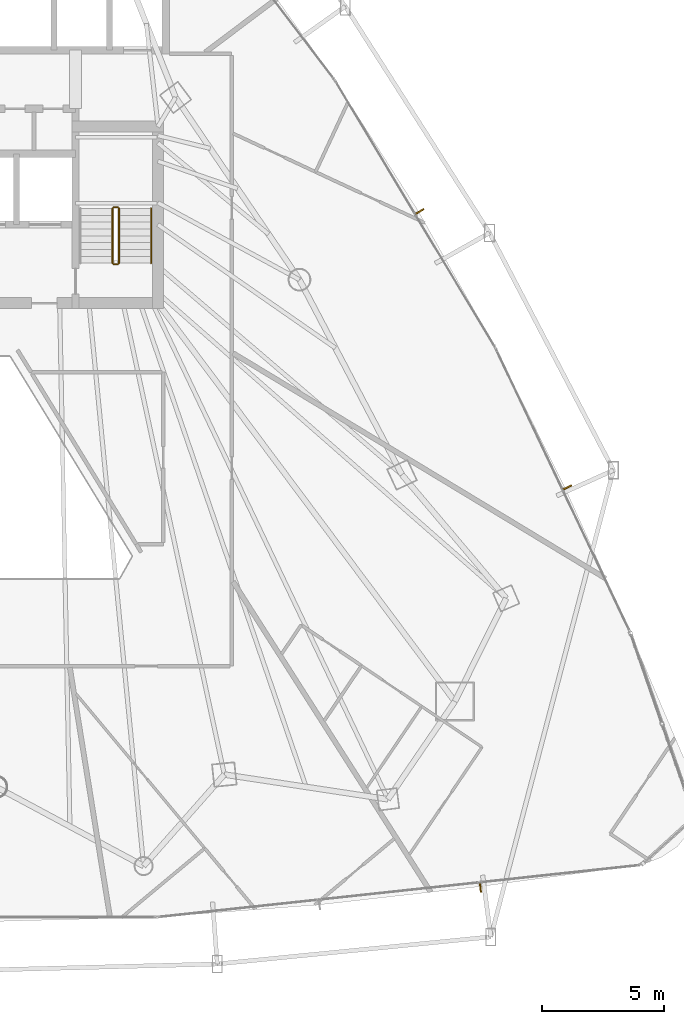
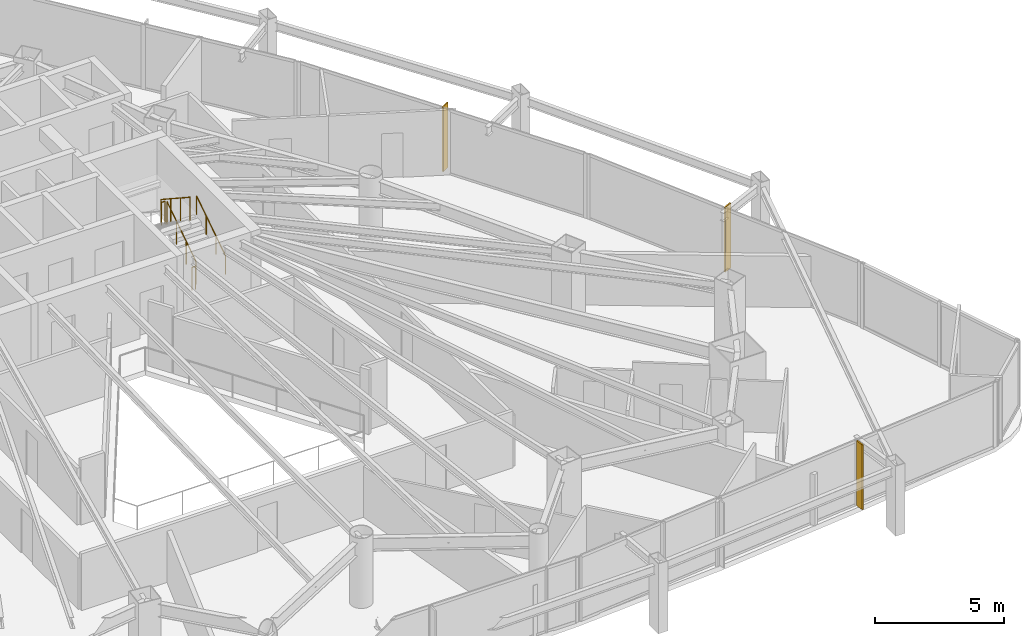
# One storey, part 37 of 38: 5 railings, 3 shading devices.
"""IFC4 building model written with IfcOpenShell, lengths in metres."""

from ifc_helpers import new_model, si_unit, direction, frame, origin, origin_2d, place, context, subcontext, project, spatial, rectangle, circle, extrude, material, layer, layer_set, type_object, element, save


model = new_model("IFC4")

# Units and contexts
model_context = context("Model", 3, precision=1e-05, world=origin(), true_north=direction((0.0, 1.0)))
body_context = subcontext(model_context, "Body", "Model", "MODEL_VIEW")
ifc_project = project(units=[si_unit("LENGTHUNIT", "METRE"), si_unit("AREAUNIT", "SQUARE_METRE"), si_unit("VOLUMEUNIT", "CUBIC_METRE"), si_unit("PLANEANGLEUNIT", "RADIAN"), si_unit("MASSUNIT", "GRAM", prefix="KILO")], contexts=[model_context])

# Site, building, storey
site_placement = place(None, origin())
site = spatial("IfcSite", under=ifc_project, at=site_placement, CompositionType="ELEMENT")
building_placement = place(site_placement, origin())
building = spatial("IfcBuilding", under=site, at=building_placement, Name="Orvanel Arch Residences", CompositionType="ELEMENT")
storey_placement = place(building_placement, frame((0.0, 0.0, 43.39990234375)))
storey = spatial("IfcBuildingStorey", under=building, at=storey_placement, Name="L11", CompositionType="ELEMENT", Elevation=43.39990234375)

# Shading devices
ifc_material_1 = material(Name="Bronze-anodised aluminium AA6063-T6", Category="aluminium")
ifc_layer = layer(ifc_material_1, 0.06005859375)
ifc_layer_set = layer_set([ifc_layer], Name="Bronze-anodised aluminium AA6063-T6")
shading_device_type = type_object("IfcShadingDeviceType", Name="FIN-BRZ-380", PredefinedType="USERDEFINED", material=ifc_layer_set)
for number, where, z_axis, x_axis, name in (
    (1, (52.85009765625, 2.716064453125, 0.0), (0.0, 0.0, 1.0), (0.106264071336, -0.994337944133, 0.0), "L11 Anodised Bronze Mullion FIN 02"),
    (2, (56.41796875, 19.1259765625, 0.0), (0.0, 0.0, 1.0), (0.903335292863, 0.428935133403, 0.0), "L11 Anodised Bronze Mullion FIN 01"),
    (3, (50.364013671875, 30.43798828125, 0.0), (0.0, 0.0, 1.0), (0.857167300702, 0.51503807491, 0.0), "L11 Anodised Bronze Mullion FIN 01"),
):
    element("IfcShadingDevice", number, at=place(storey_placement, frame(where, z_axis=z_axis, x_axis=x_axis)), inside=storey, type_object=shading_device_type, Name=name, ObjectType="FIN", PredefinedType="USERDEFINED", context=body_context, shape_type="SweptSolid", body=[
        extrude(rectangle(XDim=0.3798828125, YDim=0.06005859375, at=origin_2d()), origin(), (0.0, 0.0, 1.0), 3.06005859375),
    ])

# Railings
ifc_material_2 = material(Name="Structural steel AS/NZS 1163 C350L0 (Grade 350)", Category="steel")
railing_type_1 = type_object("IfcRailingType", Name="RL-STAIR-GUARD", PredefinedType="GUARDRAIL", material=ifc_material_2)
railing_1_placement = place(storey_placement, frame((38.030029296875, 28.320068359375, 0.183349609375)))
element("IfcRailing", 4, at=railing_1_placement, inside=storey, type_object=railing_type_1, Name="L11 ST-2 stair guard 1", PredefinedType="GUARDRAIL", context=body_context, shape_type="SweptSolid", body=[
    extrude(circle(Radius=0.02392578125, at=origin_2d()), frame((0.0, 0.001220703125, 1.076904296875), z_axis=(0.0, 0.836595146698, 0.547821650285), x_axis=(-1.0, 0.0, 0.0)), (0.0, 0.0, 1.0), 2.674560546875),
    extrude(circle(Radius=0.02099609375, at=origin_2d()), origin(), (0.0, 0.0, 1.0), 1.050048828125),
    extrude(circle(Radius=0.02099609375, at=origin_2d()), frame((0.0, 0.74658203125, 0.489013671875)), (0.0, 0.0, 1.0), 1.050048828125),
    extrude(circle(Radius=0.02099609375, at=origin_2d()), frame((0.0, 1.493408203125, 0.977783203125)), (0.0, 0.0, 1.0), 1.050048828125),
    extrude(circle(Radius=0.02099609375, at=origin_2d()), frame((0.0, 2.239990234375, 1.466796875)), (0.0, 0.0, 1.0), 1.050048828125),
])
railing_2_placement = place(storey_placement, frame((37.97998046875, 30.610107421875, 1.650146484375)))
element("IfcRailing", 5, at=railing_2_placement, inside=storey, type_object=railing_type_1, Name="L11 ST-2 stair guard 2", PredefinedType="GUARDRAIL", context=body_context, shape_type="SweptSolid", body=[
    extrude(circle(Radius=0.02392578125, at=origin_2d()), frame((-0.00146484375, 0.0, 1.076171875), z_axis=(-1.0, 0.0, 0.0), x_axis=(0.0, -1.0, 0.0)), (0.0, 0.0, 1.0), 0.156982421875),
    extrude(circle(Radius=0.02099609375, at=origin_2d()), origin(), (0.0, 0.0, 1.0), 1.050048828125),
    extrude(circle(Radius=0.02099609375, at=origin_2d()), frame((-0.159912109375, 0.0, 0.0)), (0.0, 0.0, 1.0), 1.050048828125),
])
railing_3_placement = place(storey_placement, frame((37.77001953125, 30.56005859375, 1.83349609375)))
element("IfcRailing", 6, at=railing_3_placement, inside=storey, type_object=railing_type_1, Name="L11 ST-2 stair guard 3", PredefinedType="GUARDRAIL", context=body_context, shape_type="SweptSolid", body=[
    extrude(circle(Radius=0.02392578125, at=origin_2d()), frame((0.0, -0.001220703125, 1.076904296875), z_axis=(0.0, -0.836636935527, 0.547757827979), x_axis=(1.0, 0.0, 0.0)), (0.0, 0.0, 1.0), 2.67431640625),
    extrude(circle(Radius=0.02099609375, at=origin_2d()), origin(), (0.0, 0.0, 1.0), 1.050048828125),
    extrude(circle(Radius=0.02099609375, at=origin_2d()), frame((0.0, -0.74658203125, 0.48876953125)), (0.0, 0.0, 1.0), 1.050048828125),
    extrude(circle(Radius=0.02099609375, at=origin_2d()), frame((0.0, -1.493408203125, 0.977783203125)), (0.0, 0.0, 1.0), 1.050048828125),
    extrude(circle(Radius=0.02099609375, at=origin_2d()), frame((0.0, -2.239990234375, 1.466552734375)), (0.0, 0.0, 1.0), 1.050048828125),
])
railing_4_placement = place(storey_placement, frame((37.97998046875, 28.27001953125, 0.0)))
element("IfcRailing", 7, at=railing_4_placement, inside=storey, type_object=railing_type_1, Name="L11 ST-2 stair guard 4", PredefinedType="GUARDRAIL", context=body_context, shape_type="SweptSolid", body=[
    extrude(circle(Radius=0.02392578125, at=origin_2d()), frame((-0.00146484375, 0.0, 1.076171875), z_axis=(-1.0, 0.0, 0.0), x_axis=(0.0, -1.0, 0.0)), (0.0, 0.0, 1.0), 0.156982421875),
    extrude(circle(Radius=0.02099609375, at=origin_2d()), origin(), (0.0, 0.0, 1.0), 1.050048828125),
    extrude(circle(Radius=0.02099609375, at=origin_2d()), frame((-0.159912109375, 0.0, 0.0)), (0.0, 0.0, 1.0), 1.050048828125),
])
railing_type_2 = type_object("IfcRailingType", Name="RL-STAIR-HAND", PredefinedType="HANDRAIL", material=ifc_material_2)
railing_5_placement = place(storey_placement, frame((39.35009765625, 28.320068359375, 0.183349609375)))
element("IfcRailing", 8, at=railing_5_placement, inside=storey, type_object=railing_type_2, Name="L11 ST-2 stair handrail 1", PredefinedType="HANDRAIL", context=body_context, shape_type="SweptSolid", body=[
    extrude(circle(Radius=0.02392578125, at=origin_2d()), frame((0.0, 0.001220703125, 0.876708984375), z_axis=(0.0, 0.836595146698, 0.547821650285), x_axis=(-1.0, 0.0, 0.0)), (0.0, 0.0, 1.0), 2.674560546875),
    extrude(circle(Radius=0.02099609375, at=origin_2d()), origin(), (0.0, 0.0, 1.0), 0.849853515625),
    extrude(circle(Radius=0.02099609375, at=origin_2d()), frame((0.0, 0.74658203125, 0.489013671875)), (0.0, 0.0, 1.0), 0.849853515625),
    extrude(circle(Radius=0.02099609375, at=origin_2d()), frame((0.0, 1.493408203125, 0.977783203125)), (0.0, 0.0, 1.0), 0.849853515625),
    extrude(circle(Radius=0.02099609375, at=origin_2d()), frame((0.0, 2.239990234375, 1.466796875)), (0.0, 0.0, 1.0), 0.849853515625),
])

save(model, "model.ifc")
